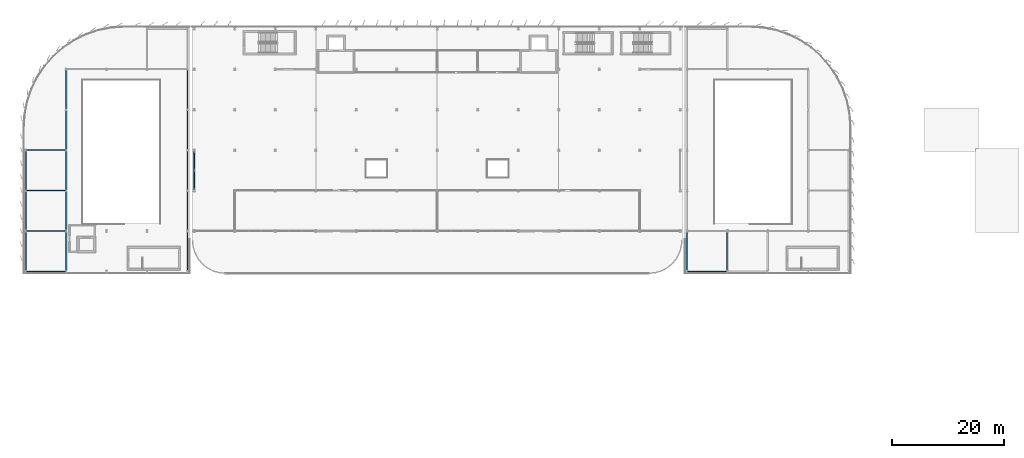
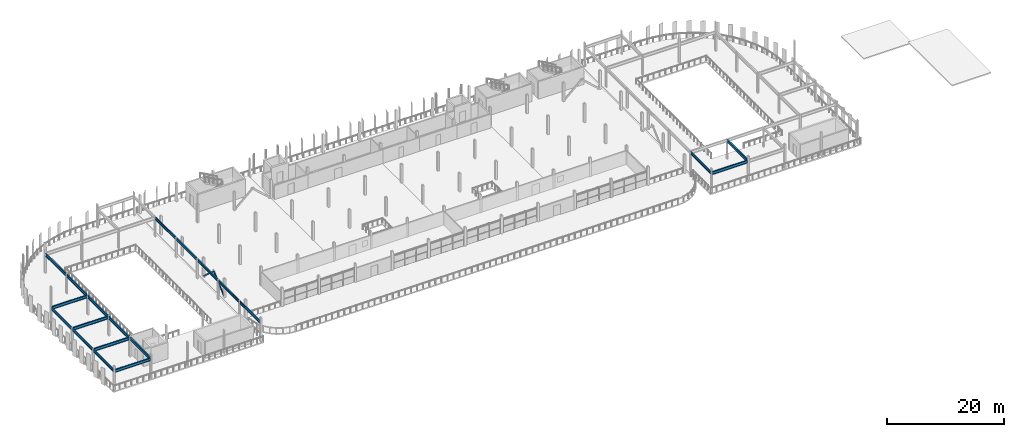
# One storey, part 12 of 40: 20 beams, 2 members.
"""IFC4 building model written with IfcOpenShell, lengths in metres."""

from ifc_helpers import new_model, si_unit, direction, frame, origin, origin_2d, place, context, subcontext, project, spatial, hollow_rectangle, i_section, extrude, material, material_profile, profile_set, type_object, element, save


model = new_model("IFC4")

# Units and contexts
model_context = context("Model", 3, precision=1e-05, world=origin(), true_north=direction((0.0, 1.0)))
body_context = subcontext(model_context, "Body", "Model", "MODEL_VIEW")
ifc_project = project(units=[si_unit("LENGTHUNIT", "METRE"), si_unit("AREAUNIT", "SQUARE_METRE"), si_unit("VOLUMEUNIT", "CUBIC_METRE"), si_unit("PLANEANGLEUNIT", "RADIAN"), si_unit("MASSUNIT", "GRAM", prefix="KILO")], contexts=[model_context])

# Site, building, storey
site_placement = place(None, origin())
site = spatial("IfcSite", under=ifc_project, at=site_placement, CompositionType="ELEMENT")
building_placement = place(site_placement, origin())
building = spatial("IfcBuilding", under=site, at=building_placement, Name="Vaelcorin Mobility Hub", CompositionType="ELEMENT")
storey_placement = place(building_placement, frame((0.0, 0.0, 17.10009765625)))
storey = spatial("IfcBuildingStorey", under=building, at=storey_placement, Name="L04", CompositionType="ELEMENT", Elevation=17.10009765625)

# Beams
ifc_material_1 = material(Name="Steel ASTM A992 Grade 50", Category="steel")
ifc_material_profile_1 = material_profile(ifc_material_1, i_section(OverallWidth=0.2099609375, OverallDepth=0.535888671875, WebThickness=0.010986328125, FlangeThickness=0.017333984375, FilletRadius=0.013916015625, at=origin_2d()), Name="W21X68")
ifc_profile_set_1 = profile_set([ifc_material_profile_1], Name="Steel ASTM A992 Grade 50")
beam_type_1 = type_object("IfcBeamType", Name="BM-W21X68", PredefinedType="SPANDREL", material=ifc_profile_set_1)
for number, where, z_axis, x_axis, name in (
    (1, (6.0, 76.97998046875, 3.8818359375), (0.0, 1.0, 0.0), (-1.0, 0.0, 0.0), "L04 Beam V2W-L04-GY-01-01"),
    (2, (6.0, 84.179931640625, 3.8818359375), (0.0, 1.0, 0.0), (-1.0, 0.0, 0.0), "L04 Beam V2W-L04-GY-01-02"),
    (3, (6.0, 91.3798828125, 3.8818359375), (0.0, 1.0, 0.0), (-1.0, 0.0, 0.0), "L04 Beam V2W-L04-GY-01-03"),
    (4, (34.800048828125, 76.97998046875, 3.8818359375), (0.0, 1.0, 0.0), (-1.0, 0.0, 0.0), "L04 Beam V2W-L04-GY-05-01"),
    (5, (34.800048828125, 84.179931640625, 3.8818359375), (0.0, 1.0, 0.0), (-1.0, 0.0, 0.0), "L04 Beam V2W-L04-GY-05-02"),
    (6, (34.800048828125, 91.3798828125, 3.8818359375), (0.0, 1.0, 0.0), (-1.0, 0.0, 0.0), "L04 Beam V2W-L04-GY-05-03"),
):
    element("IfcBeam", number, at=place(storey_placement, frame(where, z_axis=z_axis, x_axis=x_axis)), inside=storey, type_object=beam_type_1, Name=name, PredefinedType="SPANDREL", context=body_context, shape_type="SweptSolid", body=[
        extrude(i_section(OverallWidth=0.2099609375, OverallDepth=0.535888671875, WebThickness=0.010986328125, FlangeThickness=0.017333984375, FilletRadius=0.013916015625, at=origin_2d()), origin(), (0.0, 0.0, 1.0), 6.840087890625),
    ])
beam_1_placement = place(storey_placement, frame((34.800048828125, 98.580078125, 3.8818359375), z_axis=(0.0, 1.0, 0.0), x_axis=(-1.0, 0.0, 0.0)))
element("IfcBeam", 7, at=beam_1_placement, inside=storey, type_object=beam_type_1, Name="L04 Beam V2W-L04-GY-05-04", PredefinedType="SPANDREL", context=body_context, shape_type="SweptSolid", body=[
    extrude(i_section(OverallWidth=0.2099609375, OverallDepth=0.535888671875, WebThickness=0.010986328125, FlangeThickness=0.017333984375, FilletRadius=0.013916015625, at=origin_2d()), origin(), (0.0, 0.0, 1.0), 6.83984375),
])
for number, where, z_axis, x_axis, name in (
    (8, (34.800048828125, 105.780029296875, 3.8818359375), (0.0, 1.0, 0.0), (-1.0, 0.0, 0.0), "L04 Beam V2W-L04-GY-05-05"),
    (9, (123.60009765625, 76.97998046875, 3.8818359375), (0.0, 1.0, 0.0), (-1.0, 0.0, 0.0), "L04 Beam V2E-L04-GY-01-01"),
):
    element("IfcBeam", number, at=place(storey_placement, frame(where, z_axis=z_axis, x_axis=x_axis)), inside=storey, type_object=beam_type_1, Name=name, PredefinedType="SPANDREL", context=body_context, shape_type="SweptSolid", body=[
        extrude(i_section(OverallWidth=0.2099609375, OverallDepth=0.535888671875, WebThickness=0.010986328125, FlangeThickness=0.017333984375, FilletRadius=0.013916015625, at=origin_2d()), origin(), (0.0, 0.0, 1.0), 6.840087890625),
    ])
ifc_material_profile_2 = material_profile(ifc_material_1, i_section(OverallWidth=0.22802734375, OverallDepth=0.60205078125, WebThickness=0.010498046875, FlangeThickness=0.014892578125, FilletRadius=0.014892578125, at=origin_2d()), Name="W24X68")
ifc_profile_set_2 = profile_set([ifc_material_profile_2], Name="Steel ASTM A992 Grade 50")
beam_type_2 = type_object("IfcBeamType", Name="BM-W24X68", PredefinedType="SPANDREL", material=ifc_profile_set_2)
for number, where, z_axis, x_axis, name in (
    (10, (6.1259765625, 76.800048828125, 3.848876953125), (1.0, 0.0, 0.0), (0.0, 1.0, 0.0), "L04 Beam V2W-L04-GX-01-01"),
    (11, (123.72607421875, 76.800048828125, 3.848876953125), (1.0, 0.0, 0.0), (0.0, 1.0, 0.0), "L04 Beam V2E-L04-GX-01-01"),
):
    element("IfcBeam", number, at=place(storey_placement, frame(where, z_axis=z_axis, x_axis=x_axis)), inside=storey, type_object=beam_type_2, Name=name, PredefinedType="SPANDREL", context=body_context, shape_type="SweptSolid", body=[
        extrude(i_section(OverallWidth=0.22802734375, OverallDepth=0.60205078125, WebThickness=0.010498046875, FlangeThickness=0.014892578125, FilletRadius=0.014892578125, at=origin_2d()), origin(), (0.0, 0.0, 1.0), 6.947998046875),
    ])
ifc_material_profile_3 = material_profile(ifc_material_1, i_section(OverallWidth=0.22900390625, OverallDepth=0.612060546875, WebThickness=0.011962890625, FlangeThickness=0.01953125, FilletRadius=0.014892578125, at=origin_2d()), Name="W24X84")
ifc_profile_set_3 = profile_set([ifc_material_profile_3], Name="Steel ASTM A992 Grade 50")
beam_type_3 = type_object("IfcBeamType", Name="BM-W24X84", PredefinedType="BEAM", material=ifc_profile_set_3)
for number, where, z_axis, x_axis, name in (
    (12, (6.1259765625, 84.0, 3.843994140625), (1.0, 0.0, 0.0), (0.0, 1.0, 0.0), "L04 Beam V2W-L04-GX-02-01"),
    (13, (6.1259765625, 91.199951171875, 3.843994140625), (1.0, 0.0, 0.0), (0.0, 1.0, 0.0), "L04 Beam V2W-L04-GX-03-01"),
    (14, (6.1259765625, 98.39990234375, 3.843994140625), (1.0, 0.0, 0.0), (0.0, 1.0, 0.0), "L04 Beam V2W-L04-GX-04-01"),
):
    element("IfcBeam", number, at=place(storey_placement, frame(where, z_axis=z_axis, x_axis=x_axis)), inside=storey, type_object=beam_type_3, Name=name, PredefinedType="BEAM", context=body_context, shape_type="SweptSolid", body=[
        extrude(i_section(OverallWidth=0.22900390625, OverallDepth=0.612060546875, WebThickness=0.011962890625, FlangeThickness=0.01953125, FilletRadius=0.014892578125, at=origin_2d()), origin(), (0.0, 0.0, 1.0), 6.947998046875),
    ])
for number, where, z_axis, x_axis, name in (
    (15, (13.199951171875, 76.97998046875, 3.843994140625), (0.0, 1.0, 0.0), (-1.0, 0.0, 0.0), "L04 Beam V2W-L04-GY-02-01"),
    (16, (13.199951171875, 84.179931640625, 3.843994140625), (0.0, 1.0, 0.0), (-1.0, 0.0, 0.0), "L04 Beam V2W-L04-GY-02-02"),
    (17, (13.199951171875, 91.3798828125, 3.843994140625), (0.0, 1.0, 0.0), (-1.0, 0.0, 0.0), "L04 Beam V2W-L04-GY-02-03"),
):
    element("IfcBeam", number, at=place(storey_placement, frame(where, z_axis=z_axis, x_axis=x_axis)), inside=storey, type_object=beam_type_3, Name=name, PredefinedType="BEAM", context=body_context, shape_type="SweptSolid", body=[
        extrude(i_section(OverallWidth=0.22900390625, OverallDepth=0.612060546875, WebThickness=0.011962890625, FlangeThickness=0.01953125, FilletRadius=0.014892578125, at=origin_2d()), origin(), (0.0, 0.0, 1.0), 6.840087890625),
    ])
beam_2_placement = place(storey_placement, frame((13.199951171875, 98.580078125, 3.843994140625), z_axis=(0.0, 1.0, 0.0), x_axis=(-1.0, 0.0, 0.0)))
element("IfcBeam", 18, at=beam_2_placement, inside=storey, type_object=beam_type_3, Name="L04 Beam V2W-L04-GY-02-04", PredefinedType="BEAM", context=body_context, shape_type="SweptSolid", body=[
    extrude(i_section(OverallWidth=0.22900390625, OverallDepth=0.612060546875, WebThickness=0.011962890625, FlangeThickness=0.01953125, FilletRadius=0.014892578125, at=origin_2d()), origin(), (0.0, 0.0, 1.0), 6.83984375),
])
for number, where, z_axis, x_axis, name in (
    (19, (13.199951171875, 105.780029296875, 3.843994140625), (0.0, 1.0, 0.0), (-1.0, 0.0, 0.0), "L04 Beam V2W-L04-GY-02-05"),
    (20, (130.800048828125, 76.97998046875, 3.843994140625), (0.0, 1.0, 0.0), (-1.0, 0.0, 0.0), "L04 Beam V2E-L04-GY-02-01"),
):
    element("IfcBeam", number, at=place(storey_placement, frame(where, z_axis=z_axis, x_axis=x_axis)), inside=storey, type_object=beam_type_3, Name=name, PredefinedType="BEAM", context=body_context, shape_type="SweptSolid", body=[
        extrude(i_section(OverallWidth=0.22900390625, OverallDepth=0.612060546875, WebThickness=0.011962890625, FlangeThickness=0.01953125, FilletRadius=0.014892578125, at=origin_2d()), origin(), (0.0, 0.0, 1.0), 6.840087890625),
    ])

# Members
ifc_material_2 = material(Name="Steel ASTM A500 Grade C", Category="steel")
ifc_material_profile_4 = material_profile(ifc_material_2, hollow_rectangle(XDim=0.15234375, YDim=0.25390625, WallThickness=0.01171875, at=origin_2d()), Name="HSS10X6X0.500")
ifc_profile_set_4 = profile_set([ifc_material_profile_4], Name="Steel ASTM A500 Grade C")
member_type = type_object("IfcMemberType", Name="BR-SCBF-10X6", PredefinedType="BRACE", material=ifc_profile_set_4)
member_1_placement = place(storey_placement, frame((36.0, 91.389892578125, 0.179931640625), z_axis=(0.0, 0.74319360332, 0.669076429106), x_axis=(-1.0, 0.0, 0.0)))
element("IfcMember", 21, at=member_1_placement, inside=storey, type_object=member_type, Name="SCBF Chevron Brace V4-BY1-L04-A", PredefinedType="BRACE", context=body_context, shape_type="SweptSolid", body=[
    extrude(hollow_rectangle(XDim=0.15234375, YDim=0.25390625, WallThickness=0.01171875, at=origin_2d()), origin(), (0.0, 0.0, 1.0), 4.588623046875),
])
member_2_placement = place(storey_placement, frame((36.0, 98.2099609375, 0.179931640625), z_axis=(0.0, -0.743169783144, 0.669102887022), x_axis=(1.0, 0.0, 0.0)))
element("IfcMember", 22, at=member_2_placement, inside=storey, type_object=member_type, Name="SCBF Chevron Brace V4-BY1-L04-B", PredefinedType="BRACE", context=body_context, shape_type="SweptSolid", body=[
    extrude(hollow_rectangle(XDim=0.15234375, YDim=0.25390625, WallThickness=0.01171875, at=origin_2d()), origin(), (0.0, 0.0, 1.0), 4.58837890625),
])

save(model, "model.ifc")
